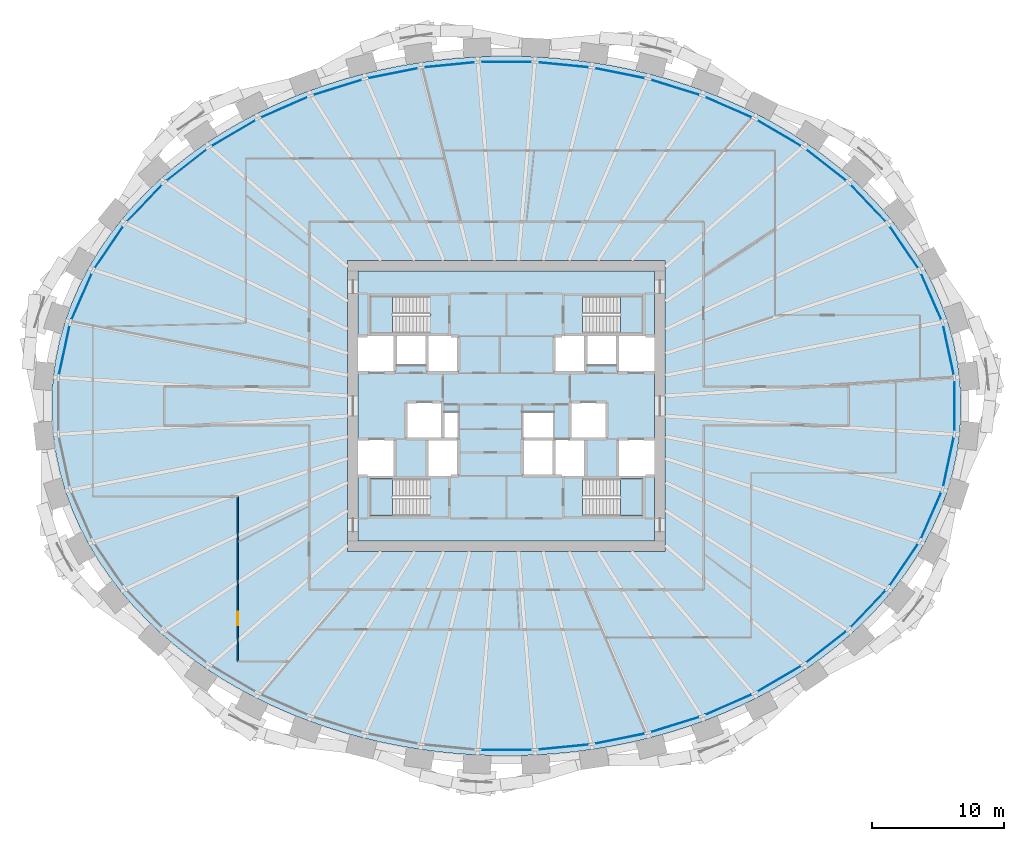
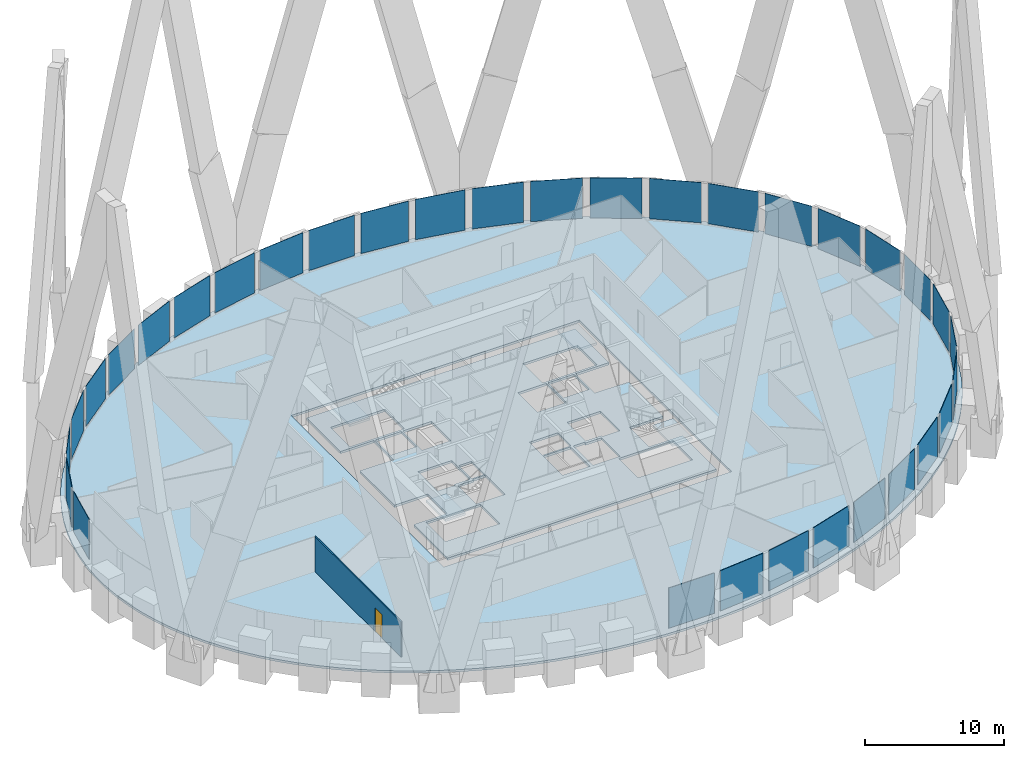
# One storey, part 6 of 12: 33 plates, 6 slabs, 1 door, 1 wall, 1 opening, 5 elements without a shape of their own.
"""IFC4 building model written with IfcOpenShell, lengths in metres."""

from ifc_helpers import new_model, si_unit, direction, frame, frame_2d, origin, origin_2d, place, context, subcontext, project, spatial, polyline, rectangle, outline, extrude, source, transform, mapped, material, layer, layer_set, type_object, element, fill, aggregate, save


model = new_model("IFC4")

# Units and contexts
model_context = context("Model", 3, precision=1e-05, world=origin(), true_north=direction((0.0, 1.0)))
body_context = subcontext(model_context, "Body", "Model", "MODEL_VIEW")
ifc_project = project(units=[si_unit("LENGTHUNIT", "METRE"), si_unit("AREAUNIT", "SQUARE_METRE"), si_unit("VOLUMEUNIT", "CUBIC_METRE"), si_unit("PLANEANGLEUNIT", "RADIAN"), si_unit("MASSUNIT", "GRAM", prefix="KILO")], contexts=[model_context])

# Site, building, storey
site_placement = place(None, origin())
site = spatial("IfcSite", under=ifc_project, at=site_placement, CompositionType="ELEMENT")
building_placement = place(site_placement, origin())
building = spatial("IfcBuilding", under=site, at=building_placement, Name="Embergate Tower", CompositionType="ELEMENT")
storey_placement = place(building_placement, frame((0.0, 0.0, 222.89990234375)))
storey = spatial("IfcBuildingStorey", under=building, at=storey_placement, Name="L51", CompositionType="ELEMENT", Elevation=222.89990234375)

# Slab
ifc_material_1 = material(Name="Concrete C40", Category="concrete")
ifc_layer_1 = layer(ifc_material_1, 0.199951171875)
ifc_layer_set_1 = layer_set([ifc_layer_1], Name="Concrete C40")
slab_type_1 = type_object("IfcSlabType", Name="Composite floor slab C40 200", PredefinedType="FLOOR", material=ifc_layer_set_1)
shared_shape_1 = source(origin(), body_context, "Body", "SweptSolid", [
    extrude(outline(polyline([(0.0, 0.0), (1.4541015625, 0.0), (2.905029296875, 0.047119140625), (4.358154296875, 0.14208984375), (5.803955078125, 0.2841796875), (7.240966796875, 0.47314453125), (8.679931640625, 0.712158203125), (10.10498046875, 0.998046875), (11.512939453125, 1.330078125), (12.923095703125, 1.715087890625), (14.31005859375, 2.147216796875), (15.672119140625, 2.625), (17.0361328125, 3.1611328125), (18.366943359375, 3.744140625), (19.6630859375, 4.37109375), (20.9580078125, 5.06201171875), (22.2109375, 5.798095703125), (23.41796875, 6.578125), (24.616943359375, 7.42919921875), (25.761962890625, 8.322998046875), (26.85107421875, 9.258056640625), (27.9189453125, 10.27001953125), (28.922119140625, 11.321044921875), (29.85595703125, 12.4091796875), (30.7509765625, 13.576171875), (31.568115234375, 14.777099609375), (32.302978515625, 16.008056640625), (32.97705078125, 17.31201171875), (33.56103515625, 18.64208984375), (34.051025390625, 19.994140625), (34.4560546875, 21.398193359375), (34.761962890625, 22.817138671875), (34.966064453125, 24.2470703125), (35.070068359375, 25.696044921875), (35.070068359375, 27.148193359375), (34.966064453125, 28.59716796875), (34.761962890625, 30.027099609375), (34.4560546875, 31.446044921875), (34.051025390625, 32.85009765625), (33.56103515625, 34.2021484375), (32.97705078125, 35.5322265625), (32.302978515625, 36.836181640625), (31.568115234375, 38.067138671875), (30.7509765625, 39.26806640625), (29.85595703125, 40.43505859375), (28.922119140625, 41.523193359375), (27.9189453125, 42.57421875), (26.85107421875, 43.586181640625), (25.761962890625, 44.521240234375), (24.616943359375, 45.4150390625), (23.41796875, 46.26611328125), (22.2109375, 47.046142578125), (20.9580078125, 47.7822265625), (19.6630859375, 48.47314453125), (18.366943359375, 49.10009765625), (17.0361328125, 49.68310546875), (15.672119140625, 50.21923828125), (14.31005859375, 50.697021484375), (12.923095703125, 51.129150390625), (11.512939453125, 51.51416015625), (10.10498046875, 51.84619140625), (8.679931640625, 52.132080078125), (7.240966796875, 52.37109375), (5.803955078125, 52.56005859375), (4.358154296875, 52.7021484375), (2.905029296875, 52.797119140625), (1.4541015625, 52.84423828125), (0.0, 52.84423828125), (-1.450927734375, 52.797119140625), (-2.904052734375, 52.7021484375), (-4.349853515625, 52.56005859375), (-5.786865234375, 52.37109375), (-7.225830078125, 52.132080078125), (-8.65087890625, 51.84619140625), (-10.058837890625, 51.51416015625), (-11.468994140625, 51.129150390625), (-12.85595703125, 50.697021484375), (-14.218017578125, 50.21923828125), (-15.58203125, 49.68310546875), (-16.912841796875, 49.10009765625), (-18.208984375, 48.47314453125), (-19.50390625, 47.7822265625), (-20.7568359375, 47.046142578125), (-21.9638671875, 46.26611328125), (-23.162841796875, 45.4150390625), (-24.307861328125, 44.521240234375), (-25.39697265625, 43.586181640625), (-26.46484375, 42.57421875), (-27.468017578125, 41.523193359375), (-28.40185546875, 40.43505859375), (-29.296875, 39.26806640625), (-30.114013671875, 38.067138671875), (-30.848876953125, 36.836181640625), (-31.52294921875, 35.5322265625), (-32.10693359375, 34.2021484375), (-32.596923828125, 32.85009765625), (-33.001953125, 31.446044921875), (-33.307861328125, 30.027099609375), (-33.511962890625, 28.59716796875), (-33.615966796875, 27.148193359375), (-33.615966796875, 25.696044921875), (-33.511962890625, 24.2470703125), (-33.307861328125, 22.817138671875), (-33.001953125, 21.398193359375), (-32.596923828125, 19.994140625), (-32.10693359375, 18.64208984375), (-31.52294921875, 17.31201171875), (-30.848876953125, 16.008056640625), (-30.114013671875, 14.777099609375), (-29.296875, 13.576171875), (-28.40185546875, 12.4091796875), (-27.468017578125, 11.321044921875), (-26.46484375, 10.27001953125), (-25.39697265625, 9.258056640625), (-24.307861328125, 8.322998046875), (-23.162841796875, 7.42919921875), (-21.9638671875, 6.578125), (-20.7568359375, 5.798095703125), (-19.50390625, 5.06201171875), (-18.208984375, 4.37109375), (-16.912841796875, 3.744140625), (-15.58203125, 3.1611328125), (-14.218017578125, 2.625), (-12.85595703125, 2.147216796875), (-11.468994140625, 1.715087890625), (-10.058837890625, 1.330078125), (-8.65087890625, 0.998046875), (-7.225830078125, 0.712158203125), (-5.786865234375, 0.47314453125), (-4.349853515625, 0.2841796875), (-2.904052734375, 0.14208984375), (-1.450927734375, 0.047119140625), (0.0, 0.0)]), holes=[polyline([(-11.27294921875, 15.422119140625), (-11.27294921875, 37.422119140625), (12.72705078125, 37.422119140625), (12.72705078125, 15.422119140625), (-11.27294921875, 15.422119140625)])]), origin(), (0.0, 0.0, 1.0), 0.199951171875),
])
slab_1_placement = place(storey_placement, frame((-0.72705078125, -26.422119140625, -0.199951171875)))
element("IfcSlab", 1, at=slab_1_placement, inside=storey, type_object=slab_type_1, Name="SLB-L51-00", PredefinedType="FLOOR", context=body_context, shape_type="MappedRepresentation", body=[
    mapped(shared_shape_1, transform((0.0, 0.0, 0.0))),
])

# Curtain wall, plates
ifc_material_2 = material(Name="Aluminium and glass", Category="aluminium")
curtain_wall_type = type_object("IfcCurtainWallType", Name="Recessed office glazing", PredefinedType="NOTDEFINED", material=ifc_material_2)
curtain_wall_placement = place(storey_placement, origin())
curtain_wall = element("IfcCurtainWall", 2, at=curtain_wall_placement, inside=storey, type_object=curtain_wall_type, Name="Recessed office glazing ring", ObjectType="RECESSED OFFICE GLAZING", PredefinedType="USERDEFINED")
ifc_material_3 = material(Name="Triple glazing, low-emissivity coating", Category="glass")
ifc_layer_2 = layer(ifc_material_3, 0.035888671875)
ifc_layer_set_2 = layer_set([ifc_layer_2], Name="Triple glazing, low-emissivity coating")
plate_type = type_object("IfcPlateType", Name="Office glazing unit", PredefinedType="CURTAIN_PANEL", material=ifc_layer_set_2)
shared_shape_2 = source(origin(), body_context, "Body", "SweptSolid", [
    extrude(rectangle(XDim=3.74951171875, YDim=0.035888671875, at=origin_2d()), origin(), (0.0, 0.0, 1.0), 3.550048828125),
])
plate_1_placement = place(storey_placement, frame((33.402587890625, 4.220458984375, 0.14990234375), z_axis=(0.0, 0.0, 1.0), x_axis=(-0.210396684915, 0.977616097953, 0.0)))
plate_1 = element("IfcPlate", 3, at=plate_1_placement, type_object=plate_type, Name="CW panel 1.1", PredefinedType="CURTAIN_PANEL", context=body_context, shape_type="MappedRepresentation", body=[
    mapped(shared_shape_2, transform((0.0, 0.0, 0.0))),
])
plate_2_placement = place(storey_placement, frame((-33.402587890625, 4.220458984375, 0.14990234375), z_axis=(0.0, 0.0, 1.0), x_axis=(-0.210396684915, -0.977616097953, 0.0)))
plate_2 = element("IfcPlate", 4, at=plate_2_placement, type_object=plate_type, Name="CW panel 21.1", PredefinedType="CURTAIN_PANEL", context=body_context, shape_type="MappedRepresentation", body=[
    mapped(shared_shape_2, transform((0.0, 0.0, 0.0))),
])
plate_3_placement = place(storey_placement, frame((33.402587890625, -4.220458984375, 0.14990234375), z_axis=(0.0, 0.0, 1.0), x_axis=(0.210396684915, 0.977616097953, 0.0)))
plate_3 = element("IfcPlate", 5, at=plate_3_placement, type_object=plate_type, Name="CW panel 43.1", PredefinedType="CURTAIN_PANEL", context=body_context, shape_type="MappedRepresentation", body=[
    mapped(shared_shape_2, transform((0.0, 0.0, 0.0))),
])
shared_shape_3 = source(origin(), body_context, "Body", "SweptSolid", [
    extrude(rectangle(XDim=3.75634765625, YDim=0.035888671875, at=origin_2d()), origin(), (0.0, 0.0, 1.0), 3.550048828125),
])
plate_4_placement = place(storey_placement, frame((32.094482421875, 8.265625, 0.14990234375), z_axis=(0.0, 0.0, 1.0), x_axis=(-0.401648904437, 0.915793730905, 0.0)))
plate_4 = element("IfcPlate", 6, at=plate_4_placement, type_object=plate_type, Name="CW panel 2.1", PredefinedType="CURTAIN_PANEL", context=body_context, shape_type="MappedRepresentation", body=[
    mapped(shared_shape_3, transform((0.0, 0.0, 0.0))),
])
plate_5_placement = place(storey_placement, frame((-32.094482421875, 8.265625, 0.14990234375), z_axis=(0.0, 0.0, 1.0), x_axis=(-0.401648904437, -0.915793730905, 0.0)))
plate_5 = element("IfcPlate", 7, at=plate_5_placement, type_object=plate_type, Name="CW panel 20.1", PredefinedType="CURTAIN_PANEL", context=body_context, shape_type="MappedRepresentation", body=[
    mapped(shared_shape_3, transform((0.0, 0.0, 0.0))),
])
plate_6_placement = place(storey_placement, frame((32.094482421875, -8.265625, 0.14990234375), z_axis=(0.0, 0.0, 1.0), x_axis=(0.401648904437, 0.915793730905, 0.0)))
plate_6 = element("IfcPlate", 8, at=plate_6_placement, type_object=plate_type, Name="CW panel 42.1", PredefinedType="CURTAIN_PANEL", context=body_context, shape_type="MappedRepresentation", body=[
    mapped(shared_shape_3, transform((0.0, 0.0, 0.0))),
])
shared_shape_4 = source(origin(), body_context, "Body", "SweptSolid", [
    extrude(rectangle(XDim=3.76513671875, YDim=0.035888671875, at=origin_2d()), origin(), (0.0, 0.0, 1.0), 3.550048828125),
])
plate_7_placement = place(storey_placement, frame((30.031005859375, 11.995361328125, 0.14990234375), z_axis=(0.0, 0.0, 1.0), x_axis=(-0.562338855469, 0.826906894172, 0.0)))
plate_7 = element("IfcPlate", 9, at=plate_7_placement, type_object=plate_type, Name="CW panel 3.1", PredefinedType="CURTAIN_PANEL", context=body_context, shape_type="MappedRepresentation", body=[
    mapped(shared_shape_4, transform((0.0, 0.0, 0.0))),
])
plate_8_placement = place(storey_placement, frame((-30.031005859375, 11.995361328125, 0.14990234375), z_axis=(0.0, 0.0, 1.0), x_axis=(-0.562338855469, -0.826906894172, 0.0)))
plate_8 = element("IfcPlate", 10, at=plate_8_placement, type_object=plate_type, Name="CW panel 19.1", PredefinedType="CURTAIN_PANEL", context=body_context, shape_type="MappedRepresentation", body=[
    mapped(shared_shape_4, transform((0.0, 0.0, 0.0))),
])
plate_9_placement = place(storey_placement, frame((30.031005859375, -11.995361328125, 0.14990234375), z_axis=(0.0, 0.0, 1.0), x_axis=(0.562338855469, 0.826906894172, 0.0)))
plate_9 = element("IfcPlate", 11, at=plate_9_placement, type_object=plate_type, Name="CW panel 41.1", PredefinedType="CURTAIN_PANEL", context=body_context, shape_type="MappedRepresentation", body=[
    mapped(shared_shape_4, transform((0.0, 0.0, 0.0))),
])
shared_shape_5 = source(origin(), body_context, "Body", "SweptSolid", [
    extrude(rectangle(XDim=3.773681640625, YDim=0.035888671875, at=origin_2d()), origin(), (0.0, 0.0, 1.0), 3.550048828125),
])
plate_10_placement = place(storey_placement, frame((27.344482421875, 15.32080078125, 0.14990234375), z_axis=(0.0, 0.0, 1.0), x_axis=(-0.690129995266, 0.723685421737, 0.0)))
plate_10 = element("IfcPlate", 12, at=plate_10_placement, type_object=plate_type, Name="CW panel 4.1", PredefinedType="CURTAIN_PANEL", context=body_context, shape_type="MappedRepresentation", body=[
    mapped(shared_shape_5, transform((0.0, 0.0, 0.0))),
])
plate_11_placement = place(storey_placement, frame((-27.344482421875, 15.32080078125, 0.14990234375), z_axis=(0.0, 0.0, 1.0), x_axis=(-0.690129995266, -0.723685421737, 0.0)))
plate_11 = element("IfcPlate", 13, at=plate_11_placement, type_object=plate_type, Name="CW panel 18.1", PredefinedType="CURTAIN_PANEL", context=body_context, shape_type="MappedRepresentation", body=[
    mapped(shared_shape_5, transform((0.0, 0.0, 0.0))),
])
plate_12_placement = place(storey_placement, frame((27.344482421875, -15.32080078125, 0.14990234375), z_axis=(0.0, 0.0, 1.0), x_axis=(0.690129995266, 0.723685421737, 0.0)))
plate_12 = element("IfcPlate", 14, at=plate_12_placement, type_object=plate_type, Name="CW panel 40.1", PredefinedType="CURTAIN_PANEL", context=body_context, shape_type="MappedRepresentation", body=[
    mapped(shared_shape_5, transform((0.0, 0.0, 0.0))),
])
shared_shape_6 = source(origin(), body_context, "Body", "SweptSolid", [
    extrude(rectangle(XDim=3.781005859375, YDim=0.035888671875, at=origin_2d()), origin(), (0.0, 0.0, 1.0), 3.550048828125),
])
plate_13_placement = place(storey_placement, frame((24.16748046875, 18.197509765625, 0.14990234375), z_axis=(0.0, 0.0, 1.0), x_axis=(-0.788316897722, 0.615269427784, 0.0)))
plate_13 = element("IfcPlate", 15, at=plate_13_placement, type_object=plate_type, Name="CW panel 5.1", PredefinedType="CURTAIN_PANEL", context=body_context, shape_type="MappedRepresentation", body=[
    mapped(shared_shape_6, transform((0.0, 0.0, 0.0))),
])
plate_14_placement = place(storey_placement, frame((-24.16748046875, 18.197509765625, 0.14990234375), z_axis=(0.0, 0.0, 1.0), x_axis=(-0.788316897722, -0.615269427784, 0.0)))
plate_14 = element("IfcPlate", 16, at=plate_14_placement, type_object=plate_type, Name="CW panel 17.1", PredefinedType="CURTAIN_PANEL", context=body_context, shape_type="MappedRepresentation", body=[
    mapped(shared_shape_6, transform((0.0, 0.0, 0.0))),
])
plate_15_placement = place(storey_placement, frame((24.16748046875, -18.197509765625, 0.14990234375), z_axis=(0.0, 0.0, 1.0), x_axis=(0.788316897722, 0.615269427784, 0.0)))
plate_15 = element("IfcPlate", 17, at=plate_15_placement, type_object=plate_type, Name="CW panel 39.1", PredefinedType="CURTAIN_PANEL", context=body_context, shape_type="MappedRepresentation", body=[
    mapped(shared_shape_6, transform((0.0, 0.0, 0.0))),
])
shared_shape_7 = source(origin(), body_context, "Body", "SweptSolid", [
    extrude(rectangle(XDim=3.787109375, YDim=0.035888671875, at=origin_2d()), origin(), (0.0, 0.0, 1.0), 3.550048828125),
])
plate_16_placement = place(storey_placement, frame((20.61572265625, 20.6123046875, 0.14990234375), z_axis=(0.0, 0.0, 1.0), x_axis=(-0.862050514108, 0.506822366443, 0.0)))
plate_16 = element("IfcPlate", 18, at=plate_16_placement, type_object=plate_type, Name="CW panel 6.1", PredefinedType="CURTAIN_PANEL", context=body_context, shape_type="MappedRepresentation", body=[
    mapped(shared_shape_7, transform((0.0, 0.0, 0.0))),
])
plate_17_placement = place(storey_placement, frame((-20.61572265625, 20.6123046875, 0.14990234375), z_axis=(0.0, 0.0, 1.0), x_axis=(-0.862050514108, -0.506822366443, 0.0)))
plate_17 = element("IfcPlate", 19, at=plate_17_placement, type_object=plate_type, Name="CW panel 16.1", PredefinedType="CURTAIN_PANEL", context=body_context, shape_type="MappedRepresentation", body=[
    mapped(shared_shape_7, transform((0.0, 0.0, 0.0))),
])
plate_18_placement = place(storey_placement, frame((20.61572265625, -20.6123046875, 0.14990234375), z_axis=(0.0, 0.0, 1.0), x_axis=(0.862050514108, 0.506822366443, 0.0)))
plate_18 = element("IfcPlate", 20, at=plate_18_placement, type_object=plate_type, Name="CW panel 38.1", PredefinedType="CURTAIN_PANEL", context=body_context, shape_type="MappedRepresentation", body=[
    mapped(shared_shape_7, transform((0.0, 0.0, 0.0))),
])
shared_shape_8 = source(origin(), body_context, "Body", "SweptSolid", [
    extrude(rectangle(XDim=3.79150390625, YDim=0.035888671875, at=origin_2d()), origin(), (0.0, 0.0, 1.0), 3.550048828125),
])
plate_19_placement = place(storey_placement, frame((16.7841796875, 22.5673828125, 0.14990234375), z_axis=(0.0, 0.0, 1.0), x_axis=(-0.91623411399, 0.400643293168, 0.0)))
plate_19 = element("IfcPlate", 21, at=plate_19_placement, type_object=plate_type, Name="CW panel 7.1", PredefinedType="CURTAIN_PANEL", context=body_context, shape_type="MappedRepresentation", body=[
    mapped(shared_shape_8, transform((0.0, 0.0, 0.0))),
])
plate_20_placement = place(storey_placement, frame((-16.7841796875, 22.5673828125, 0.14990234375), z_axis=(0.0, 0.0, 1.0), x_axis=(-0.91623411399, -0.400643293168, 0.0)))
plate_20 = element("IfcPlate", 22, at=plate_20_placement, type_object=plate_type, Name="CW panel 15.1", PredefinedType="CURTAIN_PANEL", context=body_context, shape_type="MappedRepresentation", body=[
    mapped(shared_shape_8, transform((0.0, 0.0, 0.0))),
])
plate_21_placement = place(storey_placement, frame((16.7841796875, -22.5673828125, 0.14990234375), z_axis=(0.0, 0.0, 1.0), x_axis=(0.91623411399, 0.400643293168, 0.0)))
plate_21 = element("IfcPlate", 23, at=plate_21_placement, type_object=plate_type, Name="CW panel 37.1", PredefinedType="CURTAIN_PANEL", context=body_context, shape_type="MappedRepresentation", body=[
    mapped(shared_shape_8, transform((0.0, 0.0, 0.0))),
])
shared_shape_9 = source(origin(), body_context, "Body", "SweptSolid", [
    extrude(rectangle(XDim=3.794921875, YDim=0.035888671875, at=origin_2d()), origin(), (0.0, 0.0, 1.0), 3.550048828125),
])
plate_22_placement = place(storey_placement, frame((12.749267578125, 24.072509765625, 0.14990234375), z_axis=(0.0, 0.0, 1.0), x_axis=(-0.954770660302, 0.297343212847, 0.0)))
plate_22 = element("IfcPlate", 24, at=plate_22_placement, type_object=plate_type, Name="CW panel 8.1", PredefinedType="CURTAIN_PANEL", context=body_context, shape_type="MappedRepresentation", body=[
    mapped(shared_shape_9, transform((0.0, 0.0, 0.0))),
])
plate_23_placement = place(storey_placement, frame((-12.749267578125, 24.072509765625, 0.14990234375), z_axis=(0.0, 0.0, 1.0), x_axis=(-0.954770660302, -0.297343212847, 0.0)))
plate_23 = element("IfcPlate", 25, at=plate_23_placement, type_object=plate_type, Name="CW panel 14.1", PredefinedType="CURTAIN_PANEL", context=body_context, shape_type="MappedRepresentation", body=[
    mapped(shared_shape_9, transform((0.0, 0.0, 0.0))),
])
plate_24_placement = place(storey_placement, frame((12.749267578125, -24.072509765625, 0.14990234375), z_axis=(0.0, 0.0, 1.0), x_axis=(0.954770660302, 0.297343212847, 0.0)))
plate_24 = element("IfcPlate", 26, at=plate_24_placement, type_object=plate_type, Name="CW panel 36.1", PredefinedType="CURTAIN_PANEL", context=body_context, shape_type="MappedRepresentation", body=[
    mapped(shared_shape_9, transform((0.0, 0.0, 0.0))),
])
shared_shape_10 = source(origin(), body_context, "Body", "SweptSolid", [
    extrude(rectangle(XDim=3.796875, YDim=0.035888671875, at=origin_2d()), origin(), (0.0, 0.0, 1.0), 3.550048828125),
])
plate_25_placement = place(storey_placement, frame((8.572998046875, 25.138427734375, 0.14990234375), z_axis=(0.0, 0.0, 1.0), x_axis=(-0.980475221003, 0.196642673395, 0.0)))
plate_25 = element("IfcPlate", 27, at=plate_25_placement, type_object=plate_type, Name="CW panel 9.1", PredefinedType="CURTAIN_PANEL", context=body_context, shape_type="MappedRepresentation", body=[
    mapped(shared_shape_10, transform((0.0, 0.0, 0.0))),
])
plate_26_placement = place(storey_placement, frame((-8.572998046875, 25.138427734375, 0.14990234375), z_axis=(0.0, 0.0, 1.0), x_axis=(-0.980475221003, -0.196642673395, 0.0)))
plate_26 = element("IfcPlate", 28, at=plate_26_placement, type_object=plate_type, Name="CW panel 13.1", PredefinedType="CURTAIN_PANEL", context=body_context, shape_type="MappedRepresentation", body=[
    mapped(shared_shape_10, transform((0.0, 0.0, 0.0))),
])
plate_27_placement = place(storey_placement, frame((8.572998046875, -25.138427734375, 0.14990234375), z_axis=(0.0, 0.0, 1.0), x_axis=(0.980475221003, 0.196642673395, 0.0)))
plate_27 = element("IfcPlate", 29, at=plate_27_placement, type_object=plate_type, Name="CW panel 35.1", PredefinedType="CURTAIN_PANEL", context=body_context, shape_type="MappedRepresentation", body=[
    mapped(shared_shape_10, transform((0.0, 0.0, 0.0))),
])
shared_shape_11 = source(origin(), body_context, "Body", "SweptSolid", [
    extrude(rectangle(XDim=3.798095703125, YDim=0.035888671875, at=origin_2d()), origin(), (0.0, 0.0, 1.0), 3.550048828125),
])
plate_28_placement = place(storey_placement, frame((4.30810546875, 25.774169921875, 0.14990234375), z_axis=(0.0, 0.0, 1.0), x_axis=(-0.995203014042, 0.097831287645, 0.0)))
plate_28 = element("IfcPlate", 30, at=plate_28_placement, type_object=plate_type, Name="CW panel 10.1", PredefinedType="CURTAIN_PANEL", context=body_context, shape_type="MappedRepresentation", body=[
    mapped(shared_shape_11, transform((0.0, 0.0, 0.0))),
])
plate_29_placement = place(storey_placement, frame((-4.30810546875, 25.774169921875, 0.14990234375), z_axis=(0.0, 0.0, 1.0), x_axis=(-0.995203014042, -0.097831287645, 0.0)))
plate_29 = element("IfcPlate", 31, at=plate_29_placement, type_object=plate_type, Name="CW panel 12.1", PredefinedType="CURTAIN_PANEL", context=body_context, shape_type="MappedRepresentation", body=[
    mapped(shared_shape_11, transform((0.0, 0.0, 0.0))),
])
plate_30_placement = place(storey_placement, frame((4.30810546875, -25.774169921875, 0.14990234375), z_axis=(0.0, 0.0, 1.0), x_axis=(0.995203014042, 0.097831287645, 0.0)))
plate_30 = element("IfcPlate", 32, at=plate_30_placement, type_object=plate_type, Name="CW panel 34.1", PredefinedType="CURTAIN_PANEL", context=body_context, shape_type="MappedRepresentation", body=[
    mapped(shared_shape_11, transform((0.0, 0.0, 0.0))),
])
shared_shape_12 = source(origin(), body_context, "Body", "SweptSolid", [
    extrude(rectangle(XDim=3.798583984375, YDim=0.035888671875, at=origin_2d()), origin(), (0.0, 0.0, 1.0), 3.550048828125),
])
plate_31_placement = place(storey_placement, frame((0.0, 25.9853515625, 0.14990234375), z_axis=(0.0, 0.0, 1.0), x_axis=(-1.0, 0.0, 0.0)))
plate_31 = element("IfcPlate", 33, at=plate_31_placement, type_object=plate_type, Name="CW panel 11.1", PredefinedType="CURTAIN_PANEL", context=body_context, shape_type="MappedRepresentation", body=[
    mapped(shared_shape_12, transform((0.0, 0.0, 0.0))),
])
plate_32_placement = place(storey_placement, frame((0.0, -25.9853515625, 0.14990234375), z_axis=(0.0, 0.0, 1.0), x_axis=(1.0, 0.0, 0.0)))
plate_32 = element("IfcPlate", 34, at=plate_32_placement, type_object=plate_type, Name="CW panel 33.1", PredefinedType="CURTAIN_PANEL", context=body_context, shape_type="MappedRepresentation", body=[
    mapped(shared_shape_12, transform((0.0, 0.0, 0.0))),
])
shared_shape_13 = source(origin(), body_context, "Body", "SweptSolid", [
    extrude(rectangle(XDim=3.746826171875, YDim=0.035888671875, at=origin_2d()), origin(), (0.0, 0.0, 1.0), 3.550048828125),
])
plate_33_placement = place(storey_placement, frame((33.851806640625, 0.0, 0.14990234375), z_axis=(0.0, 0.0, 1.0), x_axis=(0.0, 1.0, 0.0)))
plate_33 = element("IfcPlate", 35, at=plate_33_placement, type_object=plate_type, Name="CW panel 44.1", PredefinedType="CURTAIN_PANEL", context=body_context, shape_type="MappedRepresentation", body=[
    mapped(shared_shape_13, transform((0.0, 0.0, 0.0))),
])
aggregate(curtain_wall, [plate_1, plate_4, plate_7, plate_10, plate_13, plate_16, plate_19, plate_22, plate_25, plate_28, plate_31, plate_29, plate_26, plate_23, plate_20, plate_17, plate_14, plate_11, plate_8, plate_5, plate_2, plate_32, plate_30, plate_27, plate_24, plate_21, plate_18, plate_15, plate_12, plate_9, plate_6, plate_3, plate_33])

# Stair, slab
ifc_material_4 = material(Name="Exit stair")
stair_type = type_object("IfcStairType", Name="Exit stair", PredefinedType="HALF_TURN_STAIR", material=ifc_material_4)
stair_1_placement = place(storey_placement, origin())
stair_1 = element("IfcStair", 36, at=stair_1_placement, inside=storey, type_object=stair_type, Name="L51 Exit stair 1", PredefinedType="HALF_TURN_STAIR")
ifc_layer_3 = layer(ifc_material_1, 0.199951171875)
ifc_layer_set_3 = layer_set([ifc_layer_3], Name="Concrete C40")
slab_type_2 = type_object("IfcSlabType", Name="Stair landing reinforced concrete", PredefinedType="LANDING", material=ifc_layer_set_3)
shared_shape_14 = source(origin(), body_context, "Body", "SweptSolid", [
    extrude(outline(polyline([(0.0, 0.0), (1.68994140625, 0.0), (1.68994140625, 2.800048828125), (0.0, 2.800048828125), (0.0, 0.0)])), origin(), (0.0, 0.0, 1.0), 0.2001953125),
])
slab_2_placement = place(storey_placement, frame((-10.300048828125, 5.5, 1.75)))
slab_2 = element("IfcSlab", 37, at=slab_2_placement, type_object=slab_type_2, Name="ST1 landing 1", PredefinedType="LANDING", context=body_context, shape_type="MappedRepresentation", body=[
    mapped(shared_shape_14, transform((0.0, 0.0, 0.0))),
])
aggregate(stair_1, [slab_2])

stair_2_placement = place(storey_placement, origin())
stair_2 = element("IfcStair", 38, at=stair_2_placement, inside=storey, type_object=stair_type, Name="L51 Exit stair 2", PredefinedType="HALF_TURN_STAIR")
slab_3_placement = place(storey_placement, frame((8.610107421875, 5.5, 1.75)))
slab_3 = element("IfcSlab", 39, at=slab_3_placement, type_object=slab_type_2, Name="ST2 landing 1", PredefinedType="LANDING", context=body_context, shape_type="MappedRepresentation", body=[
    mapped(shared_shape_14, transform((0.0, 0.0, 0.0))),
])
aggregate(stair_2, [slab_3])

stair_3_placement = place(storey_placement, origin())
stair_3 = element("IfcStair", 40, at=stair_3_placement, inside=storey, type_object=stair_type, Name="L51 Exit stair 3", PredefinedType="HALF_TURN_STAIR")
slab_4_placement = place(storey_placement, frame((-10.300048828125, -8.300048828125, 1.75)))
slab_4 = element("IfcSlab", 41, at=slab_4_placement, type_object=slab_type_2, Name="ST3 landing 1", PredefinedType="LANDING", context=body_context, shape_type="MappedRepresentation", body=[
    mapped(shared_shape_14, transform((0.0, 0.0, 0.0))),
])
aggregate(stair_3, [slab_4])

stair_4_placement = place(storey_placement, origin())
stair_4 = element("IfcStair", 42, at=stair_4_placement, inside=storey, type_object=stair_type, Name="L51 Exit stair 4", PredefinedType="HALF_TURN_STAIR")
slab_5_placement = place(storey_placement, frame((8.610107421875, -8.300048828125, 1.75)))
slab_5 = element("IfcSlab", 43, at=slab_5_placement, type_object=slab_type_2, Name="ST4 landing 1", PredefinedType="LANDING", context=body_context, shape_type="MappedRepresentation", body=[
    mapped(shared_shape_14, transform((0.0, 0.0, 0.0))),
])
aggregate(stair_4, [slab_5])

# Slab
ifc_layer_4 = layer(ifc_material_1, 0.199951171875)
ifc_layer_set_4 = layer_set([ifc_layer_4], Name="Concrete C40")
slab_type_3 = type_object("IfcSlabType", Name="Core floor slab 200 reinforced concrete", PredefinedType="FLOOR", material=ifc_layer_set_4)
shared_shape_15 = source(origin(), body_context, "Body", "SweptSolid", [
    extrude(outline(polyline([(0.0, 0.0), (22.39990234375, 0.0), (22.39990234375, 4.89990234375), (19.599853515625, 4.89990234375), (19.599853515625, 7.699951171875), (22.39990234375, 7.699951171875), (22.39990234375, 12.699951171875), (19.599853515625, 12.699951171875), (19.599853515625, 15.5), (22.39990234375, 15.5), (22.39990234375, 20.39990234375), (0.0, 20.39990234375), (0.0, 15.5), (2.800048828125, 15.5), (2.800048828125, 12.699951171875), (0.0, 12.699951171875), (0.0, 7.699951171875), (2.800048828125, 7.699951171875), (2.800048828125, 4.89990234375), (0.0, 4.89990234375), (0.0, 0.0)]), holes=[polyline([(0.89990234375, 1.89990234375), (0.89990234375, 4.699951171875), (5.43994140625, 4.699951171875), (5.43994140625, 1.89990234375), (0.89990234375, 1.89990234375)]), polyline([(16.9599609375, 1.89990234375), (16.9599609375, 4.699951171875), (21.5, 4.699951171875), (21.5, 1.89990234375), (16.9599609375, 1.89990234375)]), polyline([(5.199951171875, 4.89990234375), (5.199951171875, 7.574951171875), (6.52490234375, 7.574951171875), (6.52490234375, 7.699951171875), (7.599853515625, 7.699951171875), (7.599853515625, 4.89990234375), (5.199951171875, 4.89990234375)]), polyline([(12.39990234375, 4.89990234375), (12.39990234375, 7.699951171875), (14.675048828125, 7.699951171875), (14.675048828125, 4.89990234375), (12.39990234375, 4.89990234375)]), polyline([(14.925048828125, 4.89990234375), (14.925048828125, 7.699951171875), (15.875, 7.699951171875), (15.875, 7.574951171875), (17.199951171875, 7.574951171875), (17.199951171875, 4.89990234375), (14.925048828125, 4.89990234375)]), polyline([(3.599853515625, 7.699951171875), (3.599853515625, 10.5), (6.39990234375, 10.5), (6.39990234375, 7.824951171875), (5.074951171875, 7.824951171875), (5.074951171875, 7.699951171875), (3.599853515625, 7.699951171875)]), polyline([(17.324951171875, 7.699951171875), (17.324951171875, 7.824951171875), (16.0, 7.824951171875), (16.0, 10.5), (18.800048828125, 10.5), (18.800048828125, 7.699951171875), (17.324951171875, 7.699951171875)]), polyline([(6.52490234375, 7.824951171875), (6.52490234375, 9.699951171875), (7.599853515625, 9.699951171875), (7.599853515625, 7.824951171875), (6.52490234375, 7.824951171875)]), polyline([(12.39990234375, 7.824951171875), (12.39990234375, 9.699951171875), (14.800048828125, 9.699951171875), (14.800048828125, 7.824951171875), (14.675048828125, 7.824951171875), (12.39990234375, 7.824951171875)]), polyline([(5.199951171875, 12.699951171875), (5.199951171875, 15.5), (7.599853515625, 15.5), (7.599853515625, 12.699951171875), (5.199951171875, 12.699951171875)]), polyline([(14.800048828125, 12.699951171875), (14.800048828125, 15.5), (17.199951171875, 15.5), (17.199951171875, 12.699951171875), (14.800048828125, 12.699951171875)]), polyline([(2.925048828125, 13.300048828125), (2.925048828125, 15.5), (5.074951171875, 15.5), (5.074951171875, 13.300048828125), (2.925048828125, 13.300048828125)]), polyline([(17.324951171875, 13.300048828125), (17.324951171875, 15.5), (19.474853515625, 15.5), (19.474853515625, 13.300048828125), (17.324951171875, 13.300048828125)]), polyline([(0.89990234375, 15.699951171875), (0.89990234375, 18.5), (5.43994140625, 18.5), (5.43994140625, 15.699951171875), (0.89990234375, 15.699951171875)]), polyline([(16.9599609375, 15.699951171875), (16.9599609375, 18.5), (21.5, 18.5), (21.5, 15.699951171875), (16.9599609375, 15.699951171875)])]), origin(), (0.0, 0.0, 1.0), 0.199951171875),
])
slab_6_placement = place(storey_placement, frame((-11.199951171875, -10.199951171875, -0.199951171875)))
element("IfcSlab", 44, at=slab_6_placement, inside=storey, type_object=slab_type_3, Name="Core floor slab", PredefinedType="FLOOR", context=body_context, shape_type="MappedRepresentation", body=[
    mapped(shared_shape_15, transform((0.0, 0.0, 0.0))),
])

# Wall, opening, door
ifc_material_5 = material(Name="Partition dry-lined 100")
ifc_layer_5 = layer(ifc_material_5, 0.10009765625)
ifc_layer_set_5 = layer_set([ifc_layer_5], Name="Partition dry-lined 100")
wall_type = type_object("IfcWallType", Name="Partition dry-lined 100", PredefinedType="PARTITIONING", material=ifc_layer_set_5)
shared_shape_16 = source(origin(), body_context, "Body", "SweptSolid", [
    extrude(rectangle(XDim=12.449951171875, YDim=0.10009765625, at=frame_2d((6.22509765625, 0.0))), origin(), (0.0, 0.0, 1.0), 3.10009765625),
])
wall_placement = place(storey_placement, frame((-20.300048828125, -19.300048828125, 0.0), z_axis=(0.0, 0.0, 1.0), x_axis=(0.0, 1.0, 0.0)))
wall = element("IfcWall", 45, at=wall_placement, inside=storey, type_object=wall_type, Name="IP-1 wall", PredefinedType="PARTITIONING", context=body_context, shape_type="MappedRepresentation", body=[
    mapped(shared_shape_16, transform((0.0, 0.0, 0.0))),
])
shared_shape_17 = source(origin(), body_context, "Body", "SweptSolid", [
    extrude(rectangle(XDim=1.0, YDim=2.10009765625, at=frame_2d((0.5, 1.050048828125))), frame((0.0, 0.06005859375, 0.0), z_axis=(0.0, -1.0, 0.0), x_axis=(1.0, 0.0, 0.0)), (0.0, 0.0, 1.0), 0.1201171875),
])
opening_placement = place(wall_placement, frame((2.742919921875, 0.0, 0.0)))
opening = element("IfcOpeningElement", 46, at=opening_placement, cuts=wall, Name="Opening ID-2", PredefinedType="OPENING", context=body_context, shape_type="MappedRepresentation", body=[
    mapped(shared_shape_17, transform((0.0, 0.0, 0.0))),
])
ifc_material_6 = material(Name="Interior door 1000")
door_type = type_object("IfcDoorType", Name="Interior door 1000", OperationType="SINGLE_SWING_LEFT", PredefinedType="DOOR", material=ifc_material_6)
shared_shape_18 = source(origin(), body_context, "Body", "SweptSolid", [
    extrude(rectangle(XDim=1.0, YDim=2.10009765625, at=frame_2d((0.5, 1.050048828125))), frame((0.0, 0.02490234375, 0.0), z_axis=(0.0, -1.0, 0.0), x_axis=(1.0, 0.0, 0.0)), (0.0, 0.0, 1.0), 0.050048828125),
])
door_placement = place(opening_placement, origin())
door = element("IfcDoor", 47, at=door_placement, inside=storey, type_object=door_type, Name="ID-2 door", OperationType="SINGLE_SWING_LEFT", OverallHeight=2.10009765625, OverallWidth=1.0, PredefinedType="DOOR", context=body_context, shape_type="MappedRepresentation", body=[
    mapped(shared_shape_18, transform((0.0, 0.0, 0.0))),
])
fill(opening, door)

save(model, "model.ifc")
